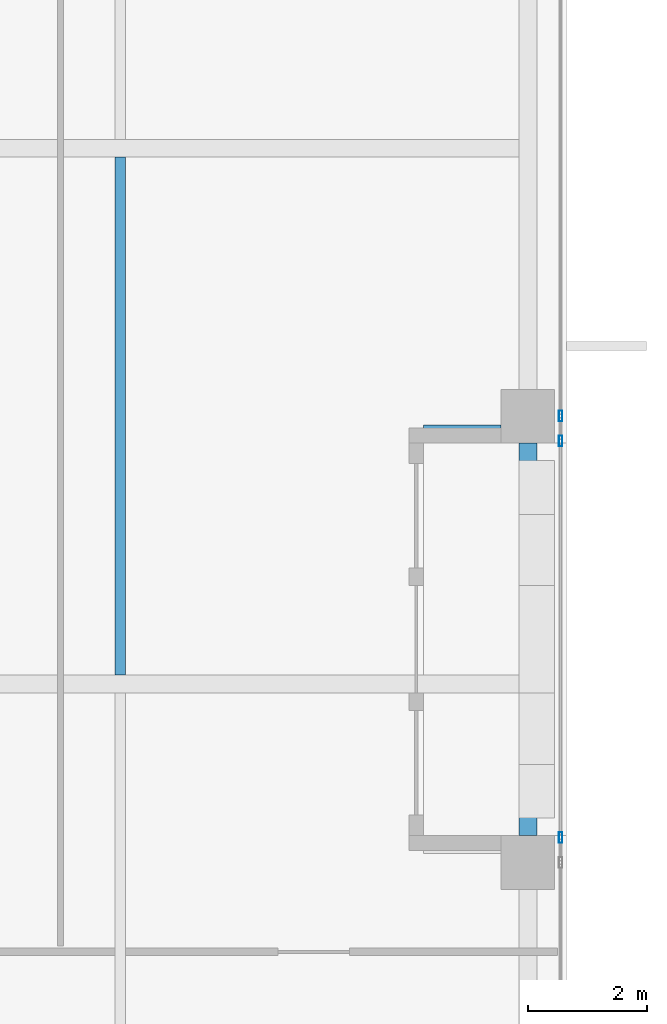
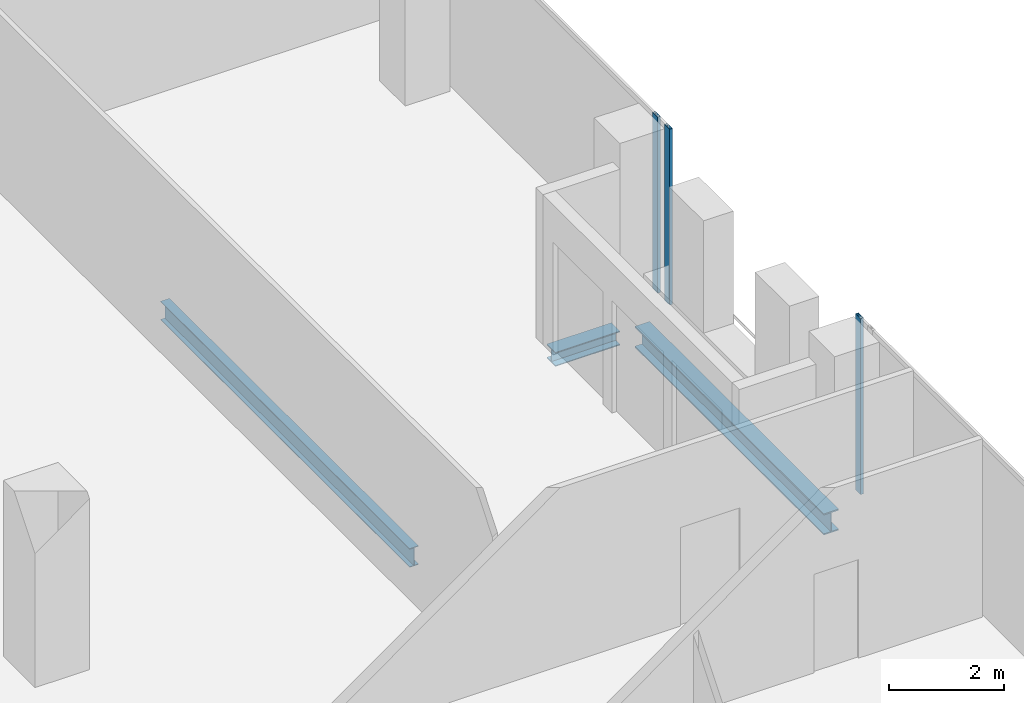
# One storey, part 13 of 36: 3 beams, 3 members, 2 elements without a shape of their own.
"""IFC4 building model written with IfcOpenShell, lengths in metres."""

from ifc_helpers import new_model, si_unit, direction, frame, origin, origin_2d, place, context, subcontext, project, spatial, hollow_rectangle, i_section, extrude, source, transform, mapped, material, material_profile, profile_set, type_object, element, aggregate, save


model = new_model("IFC4")

# Units and contexts
model_context = context("Model", 3, precision=1e-05, world=origin(), true_north=direction((0.0, 1.0)))
body_context = subcontext(model_context, "Body", "Model", "MODEL_VIEW")
ifc_project = project(units=[si_unit("LENGTHUNIT", "METRE"), si_unit("AREAUNIT", "SQUARE_METRE"), si_unit("VOLUMEUNIT", "CUBIC_METRE"), si_unit("PLANEANGLEUNIT", "RADIAN"), si_unit("MASSUNIT", "GRAM", prefix="KILO")], contexts=[model_context])

# Site, building, storey
site_placement = place(None, origin())
site = spatial("IfcSite", under=ifc_project, at=site_placement, CompositionType="ELEMENT")
building_placement = place(site_placement, origin())
building = spatial("IfcBuilding", under=site, at=building_placement, Name="Khomas Fold Tower", CompositionType="ELEMENT")
storey_placement = place(building_placement, frame((0.0, 0.0, 230.199951171875)))
storey = spatial("IfcBuildingStorey", under=building, at=storey_placement, Name="L51", CompositionType="ELEMENT", Elevation=230.199951171875)

# Beams
ifc_material_1 = material(Name="Steel S355", Category="steel")
ifc_material_profile_1 = material_profile(ifc_material_1, i_section(OverallWidth=0.179931640625, OverallDepth=0.39990234375, WebThickness=0.008544921875, FlangeThickness=0.013427734375, at=origin_2d()), Name="IPE 400")
ifc_profile_set_1 = profile_set([ifc_material_profile_1], Name="Steel S355")
beam_type_1 = type_object("IfcBeamType", Name="IPE 400 beam JB3", PredefinedType="BEAM", material=ifc_profile_set_1)
shared_shape_1 = source(origin(), body_context, "Body", "SweptSolid", [
    extrude(i_section(OverallWidth=0.179931640625, OverallDepth=0.39990234375, WebThickness=0.008544921875, FlangeThickness=0.013427734375, at=origin_2d()), origin(), (0.0, 0.0, 1.0), 8.7001953125),
])
beam_1_placement = place(storey_placement, frame((42.0, 22.64990234375, -0.449951171875), z_axis=(0.0, 1.0, 0.0), x_axis=(-1.0, 0.0, 0.0)))
element("IfcBeam", 1, at=beam_1_placement, inside=storey, type_object=beam_type_1, Name="JB3", PredefinedType="BEAM", context=body_context, shape_type="MappedRepresentation", body=[
    mapped(shared_shape_1, transform((0.0, 0.0, 0.0))),
])
ifc_material_2 = material(Name="Steel S355", Category="steel")
ifc_material_profile_2 = material_profile(ifc_material_2, i_section(OverallWidth=0.300048828125, OverallDepth=0.449951171875, WebThickness=0.013916015625, FlangeThickness=0.02587890625, at=origin_2d()), Name="HE 450 B")
ifc_profile_set_2 = profile_set([ifc_material_profile_2], Name="Steel S355")
beam_type_2 = type_object("IfcBeamType", Name="HE 450 B spandrel SB4", PredefinedType="SPANDREL", material=ifc_profile_set_2)
shared_shape_2 = source(origin(), body_context, "Body", "SweptSolid", [
    extrude(i_section(OverallWidth=0.300048828125, OverallDepth=0.449951171875, WebThickness=0.013916015625, FlangeThickness=0.02587890625, at=origin_2d()), origin(), (0.0, 0.0, 1.0), 6.60009765625),
])
beam_2_placement = place(storey_placement, frame((48.85009765625, 19.949951171875, -0.474853515625), z_axis=(0.0, 1.0, 0.0), x_axis=(-1.0, 0.0, 0.0)))
element("IfcBeam", 2, at=beam_2_placement, inside=storey, type_object=beam_type_2, Name="SB4", PredefinedType="SPANDREL", context=body_context, shape_type="MappedRepresentation", body=[
    mapped(shared_shape_2, transform((0.0, 0.0, 0.0))),
])
ifc_material_3 = material(Name="Steel S355", Category="steel")
ifc_material_profile_3 = material_profile(ifc_material_3, i_section(OverallWidth=0.300048828125, OverallDepth=0.300048828125, WebThickness=0.010986328125, FlangeThickness=0.01904296875, at=origin_2d()), Name="HE 300 B")
ifc_profile_set_3 = profile_set([ifc_material_profile_3], Name="Steel S355")
beam_type_3 = type_object("IfcBeamType", Name="HE 300 B beam BB1", PredefinedType="BEAM", material=ifc_profile_set_3)
shared_shape_3 = source(origin(), body_context, "Body", "SweptSolid", [
    extrude(i_section(OverallWidth=0.300048828125, OverallDepth=0.300048828125, WebThickness=0.010986328125, FlangeThickness=0.01904296875, at=origin_2d()), origin(), (0.0, 0.0, 1.0), 1.2998046875),
])
beam_3_placement = place(storey_placement, frame((47.10009765625, 26.699951171875, -0.39990234375), z_axis=(1.0, 0.0, 0.0), x_axis=(0.0, 1.0, 0.0)))
element("IfcBeam", 3, at=beam_3_placement, inside=storey, type_object=beam_type_3, Name="BB1", PredefinedType="BEAM", context=body_context, shape_type="MappedRepresentation", body=[
    mapped(shared_shape_3, transform((0.0, 0.0, 0.0))),
])

# Curtain wall, member
ifc_material_4 = material(Name="Aluminium framed double glazing", Category="aluminium")
curtain_wall_type = type_object("IfcCurtainWallType", Name="SK-Unitised clear-glass wall, office floors CW2", PredefinedType="NOTDEFINED", material=ifc_material_4)
curtain_wall_1_placement = place(storey_placement, origin())
curtain_wall_1 = element("IfcCurtainWall", 4, at=curtain_wall_1_placement, inside=storey, type_object=curtain_wall_type, Name="CW2 run L51 03-0", PredefinedType="NOTDEFINED")
ifc_material_5 = material(Name="Aluminium", Category="aluminium")
ifc_material_profile_4 = material_profile(ifc_material_5, hollow_rectangle(XDim=0.06005859375, YDim=0.179931640625, WallThickness=0.00390625, at=origin_2d()), Name="SK-Unitised clear-glass wall, office floors mullion CW2-M")
ifc_profile_set_4 = profile_set([ifc_material_profile_4], Name="Aluminium")
member_type = type_object("IfcMemberType", Name="SK-Unitised clear-glass wall, office floors mullion CW2-M", PredefinedType="MULLION", material=ifc_profile_set_4)
shared_shape_4 = source(origin(), body_context, "Body", "SweptSolid", [
    extrude(hollow_rectangle(XDim=0.06005859375, YDim=0.179931640625, WallThickness=0.00390625, at=origin_2d()), origin(), (0.0, 0.0, 1.0), 3.75),
])
member_1_placement = place(storey_placement, frame((49.39990234375, 19.919921875, 0.0), z_axis=(0.0, 0.0, 1.0), x_axis=(-1.0, 0.0, 0.0)))
member_1 = element("IfcMember", 5, at=member_1_placement, type_object=member_type, Name="CW2 mullion 4", PredefinedType="MULLION", context=body_context, shape_type="MappedRepresentation", body=[
    mapped(shared_shape_4, transform((0.0, 0.0, 0.0))),
])
aggregate(curtain_wall_1, [member_1])

# Curtain wall, members
curtain_wall_2_placement = place(storey_placement, origin())
curtain_wall_2 = element("IfcCurtainWall", 6, at=curtain_wall_2_placement, inside=storey, type_object=curtain_wall_type, Name="CW2 run L51 03-1", PredefinedType="NOTDEFINED")
member_2_placement = place(storey_placement, frame((49.39990234375, 26.580078125, 0.0), z_axis=(0.0, 0.0, 1.0), x_axis=(-1.0, 0.0, 0.0)))
member_2 = element("IfcMember", 7, at=member_2_placement, type_object=member_type, Name="CW2 mullion 1", PredefinedType="MULLION", context=body_context, shape_type="MappedRepresentation", body=[
    mapped(shared_shape_4, transform((0.0, 0.0, 0.0))),
])
member_3_placement = place(storey_placement, frame((49.39990234375, 27.0, 0.0), z_axis=(0.0, 0.0, 1.0), x_axis=(-1.0, 0.0, 0.0)))
member_3 = element("IfcMember", 8, at=member_3_placement, type_object=member_type, Name="CW2 mullion 2", PredefinedType="MULLION", context=body_context, shape_type="MappedRepresentation", body=[
    mapped(shared_shape_4, transform((0.0, 0.0, 0.0))),
])
aggregate(curtain_wall_2, [member_2, member_3])

save(model, "model.ifc")
